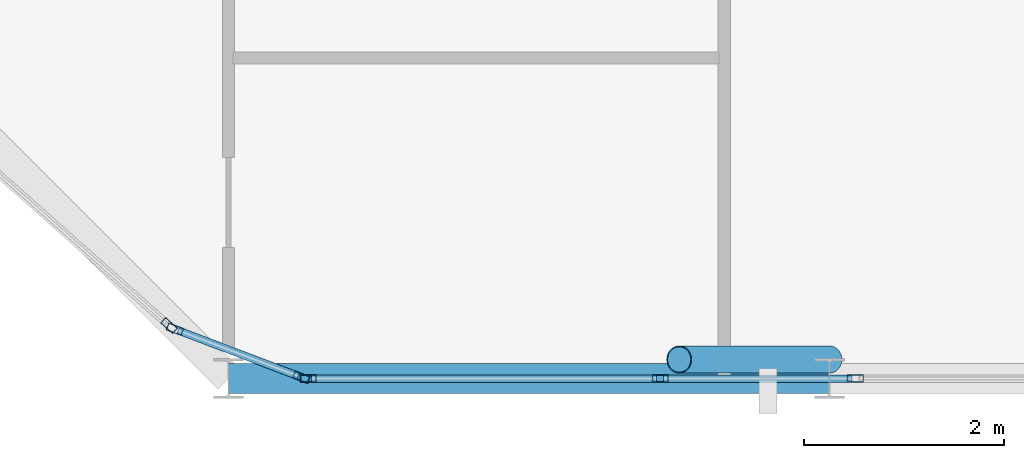
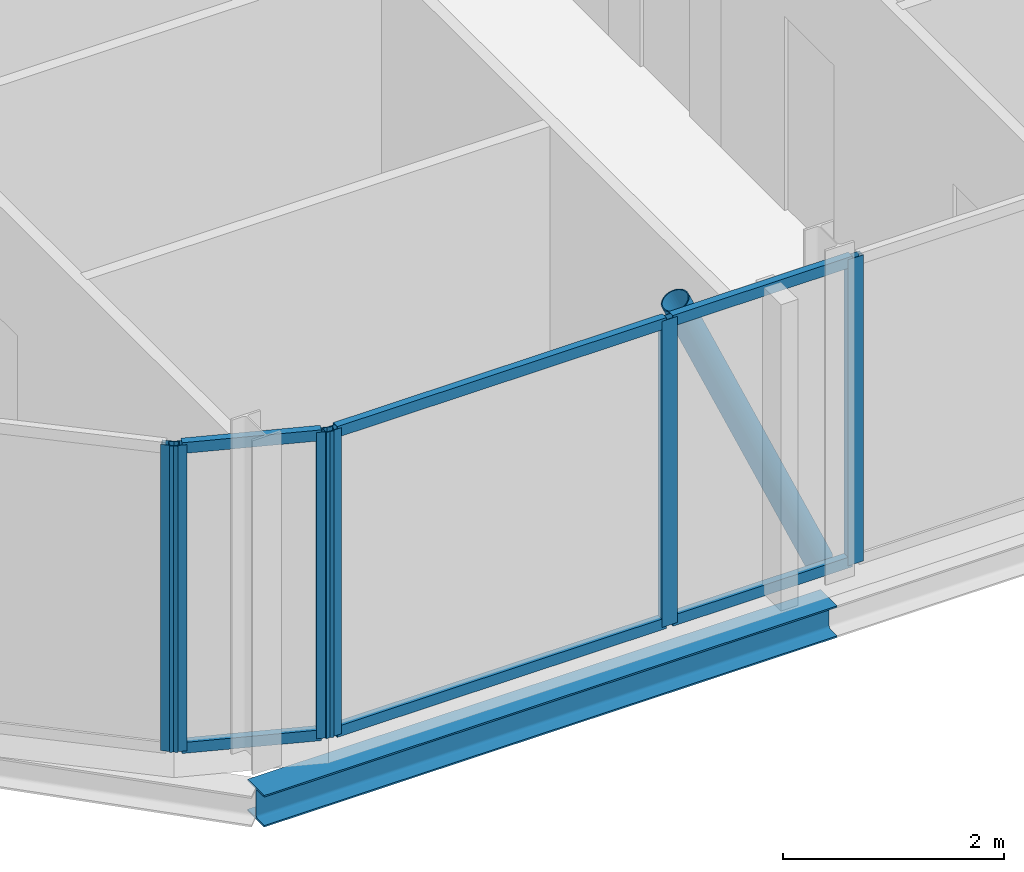
# One storey, part 6 of 28: 13 members, 1 beam, 5 elements without a shape of their own.
"""IFC4 building model written with IfcOpenShell, lengths in metres."""

import ifcopenshell
import ifcopenshell.guid

model = None  # the IFC model being written
_history = None  # IfcOwnerHistory: only IFC2X3 demands one
_inside = {}  # id of a spatial element -> (the spatial element, [elements in it])
_under = {}  # id of a project, library or spatial element -> (it, [spatial elements below it])
_declared = {}  # id of a project -> (the project, [libraries it declares])
_typed = {}  # id of a type object -> (the type object, [elements of that type])
_made_of = {}  # id of a material, layer set ... -> (it, [elements and type objects made of it])


def new_model(schema):
    """Start an empty IFC model of exactly this schema.

    Asked for "IFC4X3", IfcOpenShell would pick the latest addendum, in which some entities
    have other attributes; the version numbers below select the first issue.
    IFC2X3 requires an IfcOwnerHistory on every rooted entity: one is made here for all.
    """
    global model, _history
    if schema == "IFC4X3":
        model = ifcopenshell.file(schema_version=(4, 3, 0, 0))
    else:
        model = ifcopenshell.file(schema=schema)
    _inside.clear()
    _under.clear()
    _declared.clear()
    _typed.clear()
    _made_of.clear()
    _history = None
    if model.schema == "IFC2X3":
        org = make("IfcOrganization", Name="unknown")
        user = make(
            "IfcPersonAndOrganization",
            ThePerson=make("IfcPerson", FamilyName="unknown"),
            TheOrganization=org,
        )
        app = make(
            "IfcApplication",
            ApplicationDeveloper=org,
            Version="unknown",
            ApplicationFullName="unknown",
            ApplicationIdentifier="unknown",
        )
        _history = make(
            "IfcOwnerHistory",
            OwningUser=user,
            OwningApplication=app,
            ChangeAction="ADDED",
            CreationDate=0,
        )
    return model


def make(cls, **values):
    """One entity of the class cls with the attributes given. An attribute that is None is left unset."""
    return model.create_entity(
        cls, **{name: value for name, value in values.items() if value is not None}
    )


def rooted(cls, **values):
    """An entity with a GlobalId (a new one), such as an element, a storey or a relation."""
    return make(cls, GlobalId=ifcopenshell.guid.new(), OwnerHistory=_history, **values)


def si_unit(unit_type, name, prefix=None):
    """IfcSIUnit, for example si_unit("LENGTHUNIT", "METRE", prefix="MILLI")."""
    return make("IfcSIUnit", UnitType=unit_type, Prefix=prefix, Name=name)


def assignment(units):
    """IfcUnitAssignment: the units of a project."""
    return None if units is None else make("IfcUnitAssignment", Units=units)


def point(xyz):
    """IfcCartesianPoint."""
    return None if xyz is None else make("IfcCartesianPoint", Coordinates=xyz)


def direction(xyz):
    """IfcDirection."""
    return None if xyz is None else make("IfcDirection", DirectionRatios=xyz)


def frame(location, z_axis=None, x_axis=None):
    """IfcAxis2Placement3D, a coordinate frame: its origin and axes. An axis left out is left unset."""
    return make(
        "IfcAxis2Placement3D",
        Location=point(location),
        Axis=direction(z_axis),
        RefDirection=direction(x_axis),
    )


def frame_2d(location, x_axis=None):
    """IfcAxis2Placement2D, a coordinate frame in the plane: its origin and x axis."""
    return make(
        "IfcAxis2Placement2D", Location=point(location), RefDirection=direction(x_axis)
    )


def origin():
    """The frame at (0, 0, 0) with its axes left unset."""
    return frame((0.0, 0.0, 0.0))


def origin_2d():
    """The frame at (0, 0) in the plane with its x axis left unset."""
    return frame_2d((0.0, 0.0))


def place(relative_to, where):
    """IfcLocalPlacement: puts the frame where relative to a parent placement (None: the world)."""
    return make(
        "IfcLocalPlacement", PlacementRelTo=relative_to, RelativePlacement=where
    )


def context(
    kind, dimensions, precision=None, world=None, true_north=None, identifier=None
):
    """IfcGeometricRepresentationContext, for example the 3D "Model" context."""
    return make(
        "IfcGeometricRepresentationContext",
        ContextIdentifier=identifier,
        ContextType=kind,
        CoordinateSpaceDimension=dimensions,
        Precision=precision,
        WorldCoordinateSystem=world,
        TrueNorth=true_north,
    )


def subcontext(parent, identifier, kind, view, scale=None):
    """IfcGeometricRepresentationSubContext, for example "Body" below "Model"."""
    return make(
        "IfcGeometricRepresentationSubContext",
        ContextIdentifier=identifier,
        ContextType=kind,
        ParentContext=parent,
        TargetScale=scale,
        TargetView=view,
    )


def project(units=None, contexts=None):
    """IfcProject with its units and contexts."""
    return rooted(
        "IfcProject",
        Name="project",
        RepresentationContexts=contexts,
        UnitsInContext=assignment(units),
    )


def spatial(cls, under=None, at=None, **own):
    """A site, building, storey or space (cls), placed at a placement, below another one or the project."""
    s = rooted(cls, ObjectPlacement=at, **own)
    if under is not None:
        _under.setdefault(under.id(), (under, []))[1].append(s)
    return s


def profile(cls, at=None, kind="AREA", **sizes):
    """A parametric profile (cls). Its sizes go by their IFC names, for example OverallWidth=200.0."""
    return make(cls, ProfileType=kind, Position=at, **sizes)


def hollow_rectangle(**sizes):
    """IfcRectangleHollowProfileDef."""
    return profile("IfcRectangleHollowProfileDef", **sizes)


def hollow_circle(**sizes):
    """IfcCircleHollowProfileDef."""
    return profile("IfcCircleHollowProfileDef", **sizes)


def i_section(**sizes):
    """IfcIShapeProfileDef."""
    return profile("IfcIShapeProfileDef", **sizes)


def extrude(swept, where, along, depth):
    """IfcExtrudedAreaSolid: the profile swept, set in the frame where, extruded along a direction by depth."""
    return make(
        "IfcExtrudedAreaSolid",
        SweptArea=swept,
        Position=where,
        ExtrudedDirection=direction(along),
        Depth=depth,
    )


def shape(context_of_items, identifier, shape_type, items):
    """IfcShapeRepresentation: the items that make up one representation, for example the "Body"."""
    return make(
        "IfcShapeRepresentation",
        ContextOfItems=context_of_items,
        RepresentationIdentifier=identifier,
        RepresentationType=shape_type,
        Items=items,
    )


def material(Name=None, Category=None):
    """IfcMaterial."""
    return make("IfcMaterial", Name=Name, Category=Category)


def layer(
    of_material, thickness, ventilated=None, Name=None, Category=None, Priority=None
):
    """IfcMaterialLayer: one layer of a wall or slab, of a material (None: an air gap)."""
    return make(
        "IfcMaterialLayer",
        Material=of_material,
        LayerThickness=thickness,
        IsVentilated=ventilated,
        Name=Name,
        Category=Category,
        Priority=Priority,
    )


def layer_set(layers, Name=None):
    """IfcMaterialLayerSet."""
    return make("IfcMaterialLayerSet", MaterialLayers=layers, LayerSetName=Name)


def material_profile(
    of_material, cross_section, Name=None, Category=None, Priority=None
):
    """IfcMaterialProfile: a cross section and its material."""
    return make(
        "IfcMaterialProfile",
        Name=Name,
        Material=of_material,
        Profile=cross_section,
        Priority=Priority,
        Category=Category,
    )


def profile_set(profiles, Name=None, composite=None):
    """IfcMaterialProfileSet."""
    return make(
        "IfcMaterialProfileSet",
        Name=Name,
        MaterialProfiles=profiles,
        CompositeProfile=composite,
    )


def made_of(thing, what):
    """Note that an element or type object is made of a material, layer set ...; save() writes the relation."""
    if what is not None:
        _made_of.setdefault(what.id(), (what, []))[1].append(thing)
    return thing


def type_object(cls, material=None, **own):
    """A type object (cls), such as IfcWallType, which elements share."""
    return made_of(rooted(cls, **own), material)


def element(
    cls,
    number,
    at=None,
    inside=None,
    cuts=None,
    type_object=None,
    material=None,
    context=None,
    identifier="Body",
    shape_type=None,
    held_by="IfcProductDefinitionShape",
    body=None,
    shapes=None,
    **own,
):
    """One element of the class cls, such as IfcWall. Its Tag is "e" and its number.

    at: its placement. inside: the storey or other place that contains it. cuts: it is an
    opening in that element (IfcRelVoidsElement). A single representation is given by context,
    identifier, shape_type and body (its items); several are given by shapes. held_by: the class
    of the entity that holds the representations. save() writes the other relations.
    """
    e = rooted(cls, Tag="e%d" % number, ObjectPlacement=at, **own)
    if body is not None:
        shapes = [shape(context, identifier, shape_type, body)]
    if shapes is not None:
        e.Representation = make(held_by, Representations=shapes)
    if inside is not None:
        _inside.setdefault(inside.id(), (inside, []))[1].append(e)
    if cuts is not None:
        rooted(
            "IfcRelVoidsElement", RelatingBuildingElement=cuts, RelatedOpeningElement=e
        )
    if type_object is not None:
        _typed.setdefault(type_object.id(), (type_object, []))[1].append(e)
    return made_of(e, material)


def aggregate(whole, parts):
    """IfcRelAggregates: a whole, such as a stair, and the parts it consists of."""
    return rooted("IfcRelAggregates", RelatingObject=whole, RelatedObjects=parts)


def save(model, path):
    """Write the relations noted so far, then the file.

    IfcRelAggregates (storeys below a building ...), IfcRelContainedInSpatialStructure (elements
    in a storey), IfcRelDefinesByType, IfcRelAssociatesMaterial and IfcRelDeclares: one each for
    every whole, place, type object, material and project.
    """
    for whole, parts in _under.values():
        aggregate(whole, parts)
    for where, things in _inside.values():
        rooted(
            "IfcRelContainedInSpatialStructure",
            RelatedElements=things,
            RelatingStructure=where,
        )
    for kind, things in _typed.values():
        rooted("IfcRelDefinesByType", RelatedObjects=things, RelatingType=kind)
    for what, things in _made_of.values():
        rooted("IfcRelAssociatesMaterial", RelatedObjects=things, RelatingMaterial=what)
    for by, libraries in _declared.values():
        rooted("IfcRelDeclares", RelatingContext=by, RelatedDefinitions=libraries)
    model.write(path)


model = new_model("IFC4")

# Units and contexts
model_context = context("Model", 3, precision=1e-05, world=origin(), true_north=direction((0.0, 1.0)))
body_context = subcontext(model_context, "Body", "Model", "MODEL_VIEW")
ifc_project = project(units=[si_unit("LENGTHUNIT", "METRE"), si_unit("AREAUNIT", "SQUARE_METRE"), si_unit("VOLUMEUNIT", "CUBIC_METRE"), si_unit("PLANEANGLEUNIT", "RADIAN"), si_unit("MASSUNIT", "GRAM", prefix="KILO")], contexts=[model_context])

# Site, building, storey
site_placement = place(None, origin())
site = spatial("IfcSite", under=ifc_project, at=site_placement, CompositionType="ELEMENT")
building_placement = place(site_placement, origin())
building = spatial("IfcBuilding", under=site, at=building_placement, Name="Keshet Zoharim Tower", CompositionType="ELEMENT")
storey_placement = place(building_placement, frame((0.0, 0.0, 251.0)))
storey = spatial("IfcBuildingStorey", under=building, at=storey_placement, Name="L62", CompositionType="ELEMENT", Elevation=251.0)

# Beam
ifc_material_1 = material(Name="Steel S355", Category="steel")
ifc_material_profile_1 = material_profile(ifc_material_1, i_section(OverallWidth=0.300048828125, OverallDepth=0.35009765625, WebThickness=0.010009765625, FlangeThickness=0.017578125, FilletRadius=0.027099609375, at=origin_2d()), Name="HEA360")
ifc_profile_set_1 = profile_set([ifc_material_profile_1], Name="Steel S355")
beam_type = type_object("IfcBeamType", Name="BM-PRI-HA360", PredefinedType="BEAM", material=ifc_profile_set_1)
beam_placement = place(storey_placement, frame((21.0, 6.699951171875, -0.485107421875), z_axis=(1.0, 0.0, 0.0), x_axis=(0.0, 1.0, 0.0)))
element("IfcBeam", 1, at=beam_placement, inside=storey, type_object=beam_type, Name="L62 Primary Girder X-001", PredefinedType="BEAM", context=body_context, shape_type="SweptSolid", body=[
    extrude(i_section(OverallWidth=0.300048828125, OverallDepth=0.35009765625, WebThickness=0.010009765625, FlangeThickness=0.017578125, FilletRadius=0.027099609375, at=origin_2d()), origin(), (0.0, 0.0, 1.0), 6.0),
])

# Curtain wall, member
ifc_material_2 = material(Name="Aluminium 6063-T6", Category="aluminium")
ifc_layer = layer(ifc_material_2, 0.260009765625)
ifc_layer_set = layer_set([ifc_layer], Name="Aluminium 6063-T6")
curtain_wall_type = type_object("IfcCurtainWallType", Name="CW-SYS-06", PredefinedType="NOTDEFINED", material=ifc_layer_set)
curtain_wall_1_placement = place(storey_placement, origin())
curtain_wall_1 = element("IfcCurtainWall", 2, at=curtain_wall_1_placement, inside=storey, type_object=curtain_wall_type, Name="L62 Unitised Curtain Wall 14", PredefinedType="NOTDEFINED")
ifc_material_profile_2 = material_profile(ifc_material_2, hollow_rectangle(XDim=0.074951171875, YDim=0.159912109375, WallThickness=0.00390625, at=origin_2d()), Name="MUL-75x160")
ifc_profile_set_2 = profile_set([ifc_material_profile_2], Name="Aluminium 6063-T6")
member_type_1 = type_object("IfcMemberType", Name="CWM-M15", PredefinedType="MULLION", material=ifc_profile_set_2)
member_1_placement = place(storey_placement, frame((27.259765625, 6.699951171875, 0.0), z_axis=(0.0, 0.0, 1.0), x_axis=(0.0, -1.0, 0.0)))
member_1 = element("IfcMember", 3, at=member_1_placement, type_object=member_type_1, Name="CW-06 mullion 2", PredefinedType="MULLION", context=body_context, shape_type="SweptSolid", body=[
    extrude(hollow_rectangle(XDim=0.074951171875, YDim=0.159912109375, WallThickness=0.00390625, at=origin_2d()), origin(), (0.0, 0.0, 1.0), 3.389892578125),
])
aggregate(curtain_wall_1, [member_1])

curtain_wall_2_placement = place(storey_placement, origin())
curtain_wall_2 = element("IfcCurtainWall", 4, at=curtain_wall_2_placement, inside=storey, type_object=curtain_wall_type, Name="L62 Unitised Curtain Wall 14 Part 2", PredefinedType="NOTDEFINED")
member_2_placement = place(storey_placement, frame((25.310302734375, 6.699951171875, 0.0), z_axis=(0.0, 0.0, 1.0), x_axis=(0.0, -1.0, 0.0)))
member_2 = element("IfcMember", 5, at=member_2_placement, type_object=member_type_1, Name="CW-06 mullion 2", PredefinedType="MULLION", context=body_context, shape_type="SweptSolid", body=[
    extrude(hollow_rectangle(XDim=0.074951171875, YDim=0.159912109375, WallThickness=0.00390625, at=origin_2d()), origin(), (0.0, 0.0, 1.0), 3.389892578125),
])

curtain_wall_3_placement = place(storey_placement, origin())
curtain_wall_3 = element("IfcCurtainWall", 6, at=curtain_wall_3_placement, inside=storey, type_object=curtain_wall_type, Name="L62 Unitised Curtain Wall 14 Part 3", PredefinedType="NOTDEFINED")
member_3_placement = place(storey_placement, frame((21.794921875, 6.699951171875, 0.0), z_axis=(0.0, 0.0, 1.0), x_axis=(0.0, -1.0, 0.0)))
member_3 = element("IfcMember", 7, at=member_3_placement, type_object=member_type_1, Name="CW-06 mullion 2", PredefinedType="MULLION", context=body_context, shape_type="SweptSolid", body=[
    extrude(hollow_rectangle(XDim=0.074951171875, YDim=0.159912109375, WallThickness=0.00390625, at=origin_2d()), origin(), (0.0, 0.0, 1.0), 3.389892578125),
])

# Curtain wall, members
curtain_wall_4_placement = place(storey_placement, origin())
curtain_wall_4 = element("IfcCurtainWall", 8, at=curtain_wall_4_placement, inside=storey, type_object=curtain_wall_type, Name="L62 Unitised Curtain Wall 15", PredefinedType="NOTDEFINED")
member_4_placement = place(storey_placement, frame((21.727294921875, 6.71240234375, 0.0), z_axis=(0.0, 0.0, 1.0), x_axis=(-0.355439161326, -0.934699418314, 0.0)))
member_4 = element("IfcMember", 9, at=member_4_placement, type_object=member_type_1, Name="CW-06 mullion 1", PredefinedType="MULLION", context=body_context, shape_type="SweptSolid", body=[
    extrude(hollow_rectangle(XDim=0.074951171875, YDim=0.159912109375, WallThickness=0.00390625, at=origin_2d()), origin(), (0.0, 0.0, 1.0), 3.389892578125),
])
member_5_placement = place(storey_placement, frame((20.464599609375, 7.192626953125, 0.0), z_axis=(0.0, 0.0, 1.0), x_axis=(-0.355439161326, -0.934699418314, 0.0)))
member_5 = element("IfcMember", 10, at=member_5_placement, type_object=member_type_1, Name="CW-06 mullion 2", PredefinedType="MULLION", context=body_context, shape_type="SweptSolid", body=[
    extrude(hollow_rectangle(XDim=0.074951171875, YDim=0.159912109375, WallThickness=0.00390625, at=origin_2d()), origin(), (0.0, 0.0, 1.0), 3.389892578125),
])

# Curtain wall, member
curtain_wall_5_placement = place(storey_placement, origin())
curtain_wall_5 = element("IfcCurtainWall", 11, at=curtain_wall_5_placement, inside=storey, type_object=curtain_wall_type, Name="L62 Unitised Curtain Wall 16", PredefinedType="NOTDEFINED")
member_6_placement = place(storey_placement, frame((20.40576171875, 7.228271484375, 0.0), z_axis=(0.0, 0.0, 1.0), x_axis=(-0.664362180559, -0.747410792699, 0.0)))
member_6 = element("IfcMember", 12, at=member_6_placement, type_object=member_type_1, Name="CW-06 mullion 1", PredefinedType="MULLION", context=body_context, shape_type="SweptSolid", body=[
    extrude(hollow_rectangle(XDim=0.074951171875, YDim=0.159912109375, WallThickness=0.00390625, at=origin_2d()), origin(), (0.0, 0.0, 1.0), 3.389892578125),
])
aggregate(curtain_wall_5, [member_6])

# Member
ifc_material_profile_3 = material_profile(ifc_material_2, hollow_rectangle(XDim=0.074951171875, YDim=0.1201171875, WallThickness=0.00390625, at=origin_2d()), Name="TRN-75x120")
ifc_profile_set_3 = profile_set([ifc_material_profile_3], Name="Aluminium 6063-T6")
member_type_2 = type_object("IfcMemberType", Name="CWT-T12", PredefinedType="USERDEFINED", material=ifc_profile_set_3)
member_7_placement = place(storey_placement, frame((27.224853515625, 6.699951171875, 0.034912109375), z_axis=(-1.0, 0.0, 0.0), x_axis=(0.0, -1.0, 0.0)))
member_7 = element("IfcMember", 13, at=member_7_placement, type_object=member_type_2, Name="CW-06 transom 1.1", ObjectType="TRANSOM", PredefinedType="USERDEFINED", context=body_context, shape_type="SweptSolid", body=[
    extrude(hollow_rectangle(XDim=0.074951171875, YDim=0.1201171875, WallThickness=0.00390625, at=origin_2d()), origin(), (0.0, 0.0, 1.0), 1.879638671875),
])

member_8_placement = place(storey_placement, frame((27.224853515625, 6.699951171875, 3.35498046875), z_axis=(-1.0, 0.0, 0.0), x_axis=(0.0, -1.0, 0.0)))
member_8 = element("IfcMember", 14, at=member_8_placement, type_object=member_type_2, Name="CW-06 transom 1.2", ObjectType="TRANSOM", PredefinedType="USERDEFINED", context=body_context, shape_type="SweptSolid", body=[
    extrude(hollow_rectangle(XDim=0.074951171875, YDim=0.1201171875, WallThickness=0.00390625, at=origin_2d()), origin(), (0.0, 0.0, 1.0), 1.879638671875),
])

aggregate(curtain_wall_2, [member_2, member_7, member_8])

member_9_placement = place(storey_placement, frame((25.275146484375, 6.699951171875, 0.034912109375), z_axis=(-1.0, 0.0, 0.0), x_axis=(0.0, -1.0, 0.0)))
member_9 = element("IfcMember", 15, at=member_9_placement, type_object=member_type_2, Name="CW-06 transom 1.1", ObjectType="TRANSOM", PredefinedType="USERDEFINED", context=body_context, shape_type="SweptSolid", body=[
    extrude(hollow_rectangle(XDim=0.074951171875, YDim=0.1201171875, WallThickness=0.00390625, at=origin_2d()), origin(), (0.0, 0.0, 1.0), 3.445068359375),
])

member_10_placement = place(storey_placement, frame((25.275146484375, 6.699951171875, 3.35498046875), z_axis=(-1.0, 0.0, 0.0), x_axis=(0.0, -1.0, 0.0)))
member_10 = element("IfcMember", 16, at=member_10_placement, type_object=member_type_2, Name="CW-06 transom 1.2", ObjectType="TRANSOM", PredefinedType="USERDEFINED", context=body_context, shape_type="SweptSolid", body=[
    extrude(hollow_rectangle(XDim=0.074951171875, YDim=0.1201171875, WallThickness=0.00390625, at=origin_2d()), origin(), (0.0, 0.0, 1.0), 3.445068359375),
])

aggregate(curtain_wall_3, [member_3, member_9, member_10])

member_11_placement = place(storey_placement, frame((21.694580078125, 6.724853515625, 0.034912109375), z_axis=(-0.934689881536, 0.355464239206, 0.0), x_axis=(-0.355464239206, -0.934689881536, 0.0)))
member_11 = element("IfcMember", 17, at=member_11_placement, type_object=member_type_2, Name="CW-06 transom 1.1", ObjectType="TRANSOM", PredefinedType="USERDEFINED", context=body_context, shape_type="SweptSolid", body=[
    extrude(hollow_rectangle(XDim=0.074951171875, YDim=0.1201171875, WallThickness=0.00390625, at=origin_2d()), origin(), (0.0, 0.0, 1.0), 1.281005859375),
])

member_12_placement = place(storey_placement, frame((21.694580078125, 6.724853515625, 3.35498046875), z_axis=(-0.934689881536, 0.355464239206, 0.0), x_axis=(-0.355464239206, -0.934689881536, 0.0)))
member_12 = element("IfcMember", 18, at=member_12_placement, type_object=member_type_2, Name="CW-06 transom 1.2", ObjectType="TRANSOM", PredefinedType="USERDEFINED", context=body_context, shape_type="SweptSolid", body=[
    extrude(hollow_rectangle(XDim=0.074951171875, YDim=0.1201171875, WallThickness=0.00390625, at=origin_2d()), origin(), (0.0, 0.0, 1.0), 1.281005859375),
])

aggregate(curtain_wall_4, [member_4, member_5, member_11, member_12])

ifc_material_profile_4 = material_profile(ifc_material_1, hollow_circle(Radius=0.136474609375, WallThickness=0.010009765625, at=origin_2d()), Name="CHS273x10")
ifc_profile_set_4 = profile_set([ifc_material_profile_4], Name="Steel S355")
member_type_3 = type_object("IfcMemberType", Name="MB-BR-C273", PredefinedType="BRACE", material=ifc_profile_set_4)
member_13_placement = place(storey_placement, frame((27.0, 6.889892578125, 0.0), z_axis=(-0.40464689807, 0.0, 0.914473011019), x_axis=(0.0, -1.0, 0.0)))
element("IfcMember", 19, at=member_13_placement, inside=storey, type_object=member_type_3, Name="L62 Perimeter Tube Brace 02", PredefinedType="BRACE", context=body_context, shape_type="SweptSolid", body=[
    extrude(hollow_circle(Radius=0.136474609375, WallThickness=0.010009765625, at=origin_2d()), origin(), (0.0, 0.0, 1.0), 3.70703125),
])

save(model, "model.ifc")
